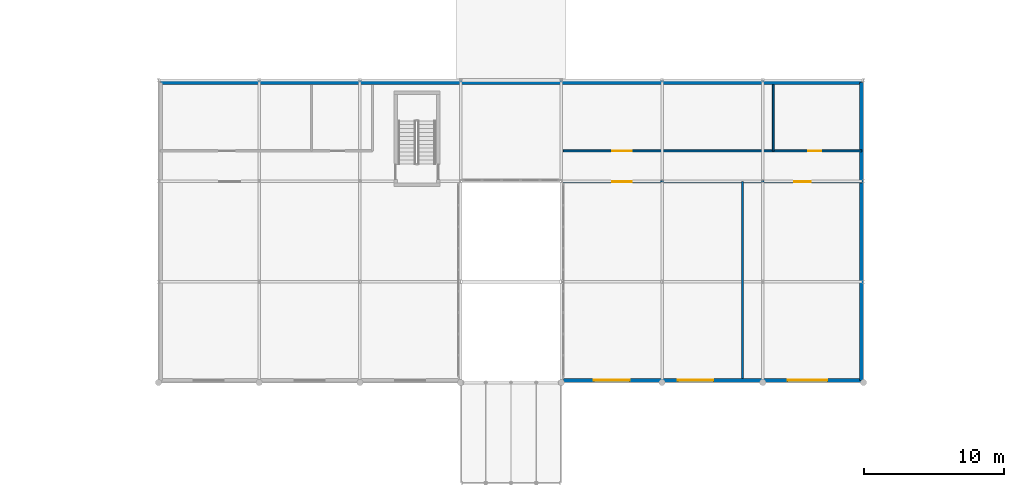
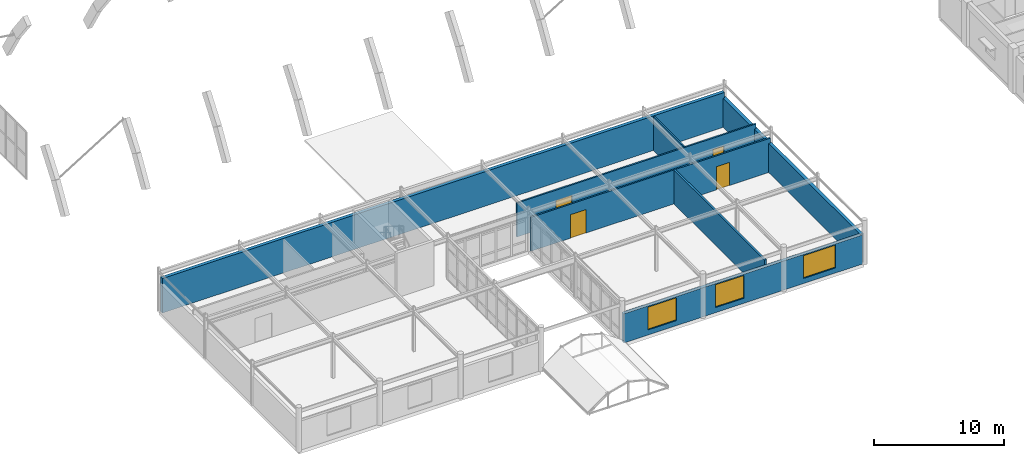
# One storey, part 50 of 85: 7 walls, 4 doors, 3 windows, 7 openings.
"""IFC4 building model written with IfcOpenShell, lengths in metres."""

from ifc_helpers import new_model, si_unit, direction, frame, frame_2d, origin, place, context, subcontext, project, spatial, rectangle, extrude, material, layer, layer_set, type_object, element, fill, save


model = new_model("IFC4")

# Units and contexts
model_context = context("Model", 3, precision=1e-05, world=origin(), true_north=direction((0.0, 1.0)))
body_context = subcontext(model_context, "Body", "Model", "MODEL_VIEW")
ifc_project = project(units=[si_unit("LENGTHUNIT", "METRE"), si_unit("AREAUNIT", "SQUARE_METRE"), si_unit("VOLUMEUNIT", "CUBIC_METRE"), si_unit("PLANEANGLEUNIT", "RADIAN"), si_unit("MASSUNIT", "GRAM", prefix="KILO")], contexts=[model_context])

# Site, building, storey
site_placement = place(None, origin())
site = spatial("IfcSite", under=ifc_project, at=site_placement, CompositionType="ELEMENT")
building_placement = place(site_placement, origin())
building = spatial("IfcBuilding", under=site, at=building_placement, Name="Ochrevale Crest", CompositionType="ELEMENT")
storey_placement = place(building_placement, frame((0.0, 0.0, 4.5)))
storey = spatial("IfcBuildingStorey", under=building, at=storey_placement, Name="L01", CompositionType="ELEMENT", Elevation=4.5)

# Wall, openings, doors
ifc_material_1 = material(Name="Gypsum plasterboard", Category="gypsum")
ifc_layer_1 = layer(ifc_material_1, 0.139892578125)
ifc_layer_set_1 = layer_set([ifc_layer_1], Name="Gypsum plasterboard")
wall_type_1 = type_object("IfcWallType", Name="WL-COR-140", PredefinedType="PARTITIONING", material=ifc_layer_set_1)
wall_1_placement = place(storey_placement, frame((86.5400390625, 21.550048828125, 0.0), z_axis=(0.0, 0.0, 1.0), x_axis=(1.0, 0.0, 0.0)))
wall_1 = element("IfcWall", 1, at=wall_1_placement, inside=storey, type_object=wall_type_1, Name="Co-working north wall", PredefinedType="PARTITIONING", context=body_context, shape_type="SweptSolid", body=[
    extrude(rectangle(XDim=21.320068359375, YDim=0.139892578125, at=frame_2d((10.66015625, 0.0))), origin(), (0.0, 0.0, 1.0), 3.199951171875),
])
opening_1_placement = place(wall_1_placement, frame((3.5, 0.0, 0.0)))
opening_1 = element("IfcOpeningElement", 2, at=opening_1_placement, cuts=wall_1, Name="Opening ID10", PredefinedType="OPENING", context=body_context, shape_type="SweptSolid", body=[
    extrude(rectangle(XDim=1.39990234375, YDim=2.219970703125, at=frame_2d((0.699951171875, 1.10986328125))), frame((0.0, 0.080078125, 0.0), z_axis=(0.0, -1.0, 0.0), x_axis=(1.0, 0.0, 0.0)), (0.0, 0.0, 1.0), 0.159912109375),
])
opening_2_placement = place(wall_1_placement, frame((17.699951171875, 0.0, 0.0), z_axis=(0.0, 0.0, 1.0), x_axis=(-1.0, 0.0, 0.0)))
opening_2 = element("IfcOpeningElement", 3, at=opening_2_placement, cuts=wall_1, Name="Opening ID09", PredefinedType="OPENING", context=body_context, shape_type="SweptSolid", body=[
    extrude(rectangle(XDim=1.199951171875, YDim=2.179931640625, at=frame_2d((0.60009765625, 1.08984375))), frame((0.0, 0.080078125, 0.0), z_axis=(0.0, -1.0, 0.0), x_axis=(1.0, 0.0, 0.0)), (0.0, 0.0, 1.0), 0.159912109375),
])
ifc_material_2 = material(Name="Solid-core FSC hardwood", Category="wood")
door_type_1 = type_object("IfcDoorType", Name="DR-INT-1200", OperationType="NOTDEFINED", PredefinedType="DOOR", material=ifc_material_2)
door_1_placement = place(opening_2_placement, origin())
door_1 = element("IfcDoor", 4, at=door_1_placement, inside=storey, type_object=door_type_1, Name="Ceramics Studio door", OperationType="SINGLE_SWING_RIGHT", OverallHeight=2.179931640625, OverallWidth=1.199951171875, PredefinedType="DOOR", context=body_context, shape_type="SweptSolid", body=[
    extrude(rectangle(XDim=1.199951171875, YDim=2.179931640625, at=frame_2d((0.60009765625, 1.08984375))), frame((0.0, 0.02490234375, 0.0), z_axis=(0.0, -1.0, 0.0), x_axis=(1.0, 0.0, 0.0)), (0.0, 0.0, 1.0), 0.050048828125),
])
fill(opening_2, door_1)
door_type_2 = type_object("IfcDoorType", Name="DR-INT-1400", OperationType="NOTDEFINED", PredefinedType="DOOR", material=ifc_material_2)
door_2_placement = place(opening_1_placement, origin())
door_2 = element("IfcDoor", 5, at=door_2_placement, inside=storey, type_object=door_type_2, Name="Co-Working Library door", OperationType="DOUBLE_DOOR_SINGLE_SWING", OverallHeight=2.219970703125, OverallWidth=1.39990234375, PredefinedType="DOOR", context=body_context, shape_type="SweptSolid", body=[
    extrude(rectangle(XDim=1.39990234375, YDim=2.219970703125, at=frame_2d((0.699951171875, 1.10986328125))), frame((0.0, 0.02490234375, 0.0), z_axis=(0.0, -1.0, 0.0), x_axis=(1.0, 0.0, 0.0)), (0.0, 0.0, 1.0), 0.050048828125),
])
fill(opening_1, door_2)

wall_2_placement = place(storey_placement, frame((86.5400390625, 23.75, 0.0), z_axis=(0.0, 0.0, 1.0), x_axis=(1.0, 0.0, 0.0)))
wall_2 = element("IfcWall", 6, at=wall_2_placement, inside=storey, type_object=wall_type_1, Name="Wellness corridor wall", PredefinedType="PARTITIONING", context=body_context, shape_type="SweptSolid", body=[
    extrude(rectangle(XDim=21.320068359375, YDim=0.139892578125, at=frame_2d((10.66015625, 0.0))), origin(), (0.0, 0.0, 1.0), 3.199951171875),
])
opening_3_placement = place(wall_2_placement, frame((4.89990234375, 0.0, 0.0), z_axis=(0.0, 0.0, 1.0), x_axis=(-1.0, 0.0, 0.0)))
opening_3 = element("IfcOpeningElement", 7, at=opening_3_placement, cuts=wall_2, Name="Opening ID10", PredefinedType="OPENING", context=body_context, shape_type="SweptSolid", body=[
    extrude(rectangle(XDim=1.39990234375, YDim=2.219970703125, at=frame_2d((0.699951171875, 1.10986328125))), frame((0.0, 0.080078125, 0.0), z_axis=(0.0, -1.0, 0.0), x_axis=(1.0, 0.0, 0.0)), (0.0, 0.0, 1.0), 0.159912109375),
])
opening_4_placement = place(wall_2_placement, frame((17.5, 0.0, 0.0)))
opening_4 = element("IfcOpeningElement", 8, at=opening_4_placement, cuts=wall_2, Name="Opening ID05", PredefinedType="OPENING", context=body_context, shape_type="SweptSolid", body=[
    extrude(rectangle(XDim=0.949951171875, YDim=2.1201171875, at=frame_2d((0.47509765625, 1.06005859375))), frame((0.0, 0.080078125, 0.0), z_axis=(0.0, -1.0, 0.0), x_axis=(1.0, 0.0, 0.0)), (0.0, 0.0, 1.0), 0.159912109375),
])
door_3_placement = place(opening_3_placement, origin())
door_3 = element("IfcDoor", 9, at=door_3_placement, inside=storey, type_object=door_type_2, Name="Wellness Studio door", OperationType="DOUBLE_DOOR_SINGLE_SWING", OverallHeight=2.219970703125, OverallWidth=1.39990234375, PredefinedType="DOOR", context=body_context, shape_type="SweptSolid", body=[
    extrude(rectangle(XDim=1.39990234375, YDim=2.219970703125, at=frame_2d((0.699951171875, 1.10986328125))), frame((0.0, 0.02490234375, 0.0), z_axis=(0.0, -1.0, 0.0), x_axis=(1.0, 0.0, 0.0)), (0.0, 0.0, 1.0), 0.050048828125),
])
fill(opening_3, door_3)
door_type_3 = type_object("IfcDoorType", Name="DR-WC-950", OperationType="NOTDEFINED", PredefinedType="DOOR", material=ifc_material_2)
door_4_placement = place(opening_4_placement, origin())
door_4 = element("IfcDoor", 10, at=door_4_placement, inside=storey, type_object=door_type_3, Name="Wellness Accessible WC door", OperationType="SINGLE_SWING_LEFT", OverallHeight=2.1201171875, OverallWidth=0.949951171875, PredefinedType="DOOR", context=body_context, shape_type="SweptSolid", body=[
    extrude(rectangle(XDim=0.949951171875, YDim=2.1201171875, at=frame_2d((0.47509765625, 1.06005859375))), frame((0.0, 0.02490234375, 0.0), z_axis=(0.0, -1.0, 0.0), x_axis=(1.0, 0.0, 0.0)), (0.0, 0.0, 1.0), 0.050048828125),
])
fill(opening_4, door_4)

# Wall, openings, windows
ifc_material_3 = material(Name="Clay face brickwork", Category="masonry")
ifc_layer_2 = layer(ifc_material_3, 0.2900390625)
ifc_layer_set_2 = layer_set([ifc_layer_2], Name="Clay face brickwork")
wall_type_2 = type_object("IfcWallType", Name="WL-EXT-BRICK-290", PredefinedType="SOLIDWALL", material=ifc_layer_set_2)
wall_3_placement = place(storey_placement, frame((86.550048828125, 7.35009765625, 0.0), z_axis=(0.0, 0.0, 1.0), x_axis=(1.0, 0.0, 0.0)))
wall_3 = element("IfcWall", 11, at=wall_3_placement, inside=storey, type_object=wall_type_2, Name="Co-Working Library south brick wall", PredefinedType="SOLIDWALL", context=body_context, shape_type="SweptSolid", body=[
    extrude(rectangle(XDim=21.300048828125, YDim=0.2900390625, at=frame_2d((10.64990234375, 0.0))), origin(), (0.0, 0.0, 1.0), 2.739990234375),
])
opening_5_placement = place(wall_3_placement, frame((2.175048828125, 0.0, 0.47998046875)))
opening_5 = element("IfcOpeningElement", 12, at=opening_5_placement, cuts=wall_3, Name="Opening W26", PredefinedType="OPENING", context=body_context, shape_type="SweptSolid", body=[
    extrude(rectangle(XDim=2.550048828125, YDim=2.14990234375, at=frame_2d((1.27490234375, 1.074951171875))), frame((0.0, 0.155029296875, 0.0), z_axis=(0.0, -1.0, 0.0), x_axis=(1.0, 0.0, 0.0)), (0.0, 0.0, 1.0), 0.31005859375),
])
opening_6_placement = place(wall_3_placement, frame((8.175048828125, 0.0, 0.47998046875)))
opening_6 = element("IfcOpeningElement", 13, at=opening_6_placement, cuts=wall_3, Name="Opening W26", PredefinedType="OPENING", context=body_context, shape_type="SweptSolid", body=[
    extrude(rectangle(XDim=2.550048828125, YDim=2.14990234375, at=frame_2d((1.27490234375, 1.074951171875))), frame((0.0, 0.155029296875, 0.0), z_axis=(0.0, -1.0, 0.0), x_axis=(1.0, 0.0, 0.0)), (0.0, 0.0, 1.0), 0.31005859375),
])
opening_7_placement = place(wall_3_placement, frame((16.02490234375, 0.0, 0.47998046875)))
opening_7 = element("IfcOpeningElement", 14, at=opening_7_placement, cuts=wall_3, Name="Opening W27", PredefinedType="OPENING", context=body_context, shape_type="SweptSolid", body=[
    extrude(rectangle(XDim=2.85009765625, YDim=2.14990234375, at=frame_2d((1.425048828125, 1.074951171875))), frame((0.0, 0.155029296875, 0.0), z_axis=(0.0, -1.0, 0.0), x_axis=(1.0, 0.0, 0.0)), (0.0, 0.0, 1.0), 0.31005859375),
])
ifc_material_4 = material(Name="Anodised aluminium 6063-T5 and low-E double glazing", Category="aluminium")
window_type_1 = type_object("IfcWindowType", Name="WIN-W26", PartitioningType="SINGLE_PANEL", PredefinedType="WINDOW", material=ifc_material_4)
window_1_placement = place(opening_5_placement, origin())
window_1 = element("IfcWindow", 15, at=window_1_placement, inside=storey, type_object=window_type_1, Name="Co-Working & Craft Studio boulevard window 1", OverallHeight=2.14990234375, OverallWidth=2.550048828125, PartitioningType="SINGLE_PANEL", PredefinedType="WINDOW", context=body_context, shape_type="SweptSolid", body=[
    extrude(rectangle(XDim=2.550048828125, YDim=2.14990234375, at=frame_2d((1.27490234375, 1.074951171875))), frame((0.0, 0.030029296875, 0.0), z_axis=(0.0, -1.0, 0.0), x_axis=(1.0, 0.0, 0.0)), (0.0, 0.0, 1.0), 0.06005859375),
])
fill(opening_5, window_1)
window_2_placement = place(opening_6_placement, origin())
window_2 = element("IfcWindow", 16, at=window_2_placement, inside=storey, type_object=window_type_1, Name="Co-Working & Craft Studio boulevard window 2", OverallHeight=2.14990234375, OverallWidth=2.550048828125, PartitioningType="SINGLE_PANEL", PredefinedType="WINDOW", context=body_context, shape_type="SweptSolid", body=[
    extrude(rectangle(XDim=2.550048828125, YDim=2.14990234375, at=frame_2d((1.27490234375, 1.074951171875))), frame((0.0, 0.030029296875, 0.0), z_axis=(0.0, -1.0, 0.0), x_axis=(1.0, 0.0, 0.0)), (0.0, 0.0, 1.0), 0.06005859375),
])
fill(opening_6, window_2)
window_type_2 = type_object("IfcWindowType", Name="WIN-W27", PartitioningType="SINGLE_PANEL", PredefinedType="WINDOW", material=ifc_material_4)
window_3_placement = place(opening_7_placement, origin())
window_3 = element("IfcWindow", 17, at=window_3_placement, inside=storey, type_object=window_type_2, Name="Co-Working & Craft Studio boulevard window 3", OverallHeight=2.14990234375, OverallWidth=2.85009765625, PartitioningType="SINGLE_PANEL", PredefinedType="WINDOW", context=body_context, shape_type="SweptSolid", body=[
    extrude(rectangle(XDim=2.85009765625, YDim=2.14990234375, at=frame_2d((1.425048828125, 1.074951171875))), frame((0.0, 0.030029296875, 0.0), z_axis=(0.0, -1.0, 0.0), x_axis=(1.0, 0.0, 0.0)), (0.0, 0.0, 1.0), 0.06005859375),
])
fill(opening_7, window_3)

# Walls
wall_4_placement = place(storey_placement, frame((57.75, 28.64990234375, 0.0), z_axis=(0.0, 0.0, 1.0), x_axis=(1.0, 0.0, 0.0)))
element("IfcWall", 18, at=wall_4_placement, inside=storey, type_object=wall_type_2, Name="Upper Retail Arcade north brick wall", PredefinedType="SOLIDWALL", context=body_context, shape_type="SweptSolid", body=[
    extrude(rectangle(XDim=50.10009765625, YDim=0.2900390625, at=frame_2d((25.050048828125, 0.0))), origin(), (0.0, 0.0, 1.0), 3.2529296875),
])
wall_5_placement = place(storey_placement, frame((107.85009765625, 7.35009765625, 0.0), z_axis=(0.0, 0.0, 1.0), x_axis=(0.0, 1.0, 0.0)))
element("IfcWall", 19, at=wall_5_placement, inside=storey, type_object=wall_type_2, Name="Upper Retail Arcade E brick wall", PredefinedType="SOLIDWALL", context=body_context, shape_type="SweptSolid", body=[
    extrude(rectangle(XDim=21.2998046875, YDim=0.2900390625, at=frame_2d((10.64990234375, 0.0))), origin(), (0.0, 0.0, 1.0), 2.739990234375),
])
ifc_layer_3 = layer(ifc_material_1, 0.1201171875)
ifc_layer_set_3 = layer_set([ifc_layer_3], Name="Gypsum plasterboard")
wall_type_3 = type_object("IfcWallType", Name="WL-PART-120", PredefinedType="PARTITIONING", material=ifc_layer_set_3)
wall_6_placement = place(storey_placement, frame((101.550048828125, 23.75, 0.0), z_axis=(0.0, 0.0, 1.0), x_axis=(0.0, 1.0, 0.0)))
element("IfcWall", 20, at=wall_6_placement, inside=storey, type_object=wall_type_3, Name="Wellness-WC divider", PredefinedType="PARTITIONING", context=body_context, shape_type="SweptSolid", body=[
    extrude(rectangle(XDim=4.75, YDim=0.1201171875, at=frame_2d((2.375, 0.0))), origin(), (0.0, 0.0, 1.0), 3.199951171875),
])
ifc_layer_4 = layer(ifc_material_1, 0.169921875)
ifc_layer_set_4 = layer_set([ifc_layer_4], Name="Gypsum plasterboard")
wall_type_4 = type_object("IfcWallType", Name="WL-TEN-170", PredefinedType="PARTITIONING", material=ifc_layer_set_4)
wall_7_placement = place(storey_placement, frame((99.35009765625, 7.5, 0.0), z_axis=(0.0, 0.0, 1.0), x_axis=(0.0, 1.0, 0.0)))
element("IfcWall", 21, at=wall_7_placement, inside=storey, type_object=wall_type_4, Name="Co-working-Craft wall", PredefinedType="PARTITIONING", context=body_context, shape_type="SweptSolid", body=[
    extrude(rectangle(XDim=14.050048828125, YDim=0.169921875, at=frame_2d((7.02490234375, 0.0))), origin(), (0.0, 0.0, 1.0), 3.199951171875),
])

save(model, "model.ifc")
